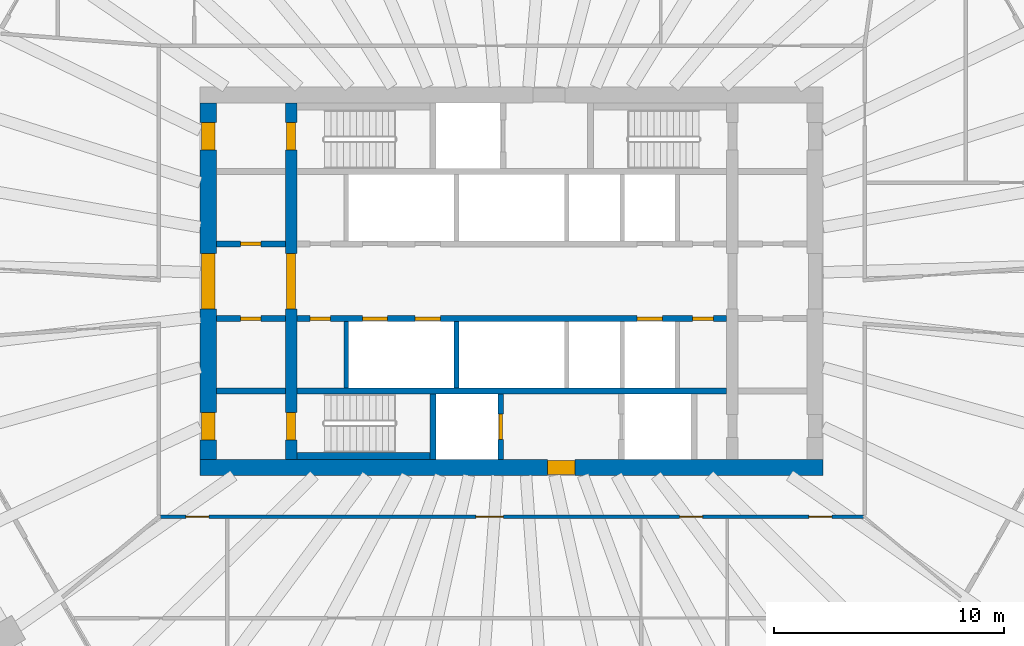
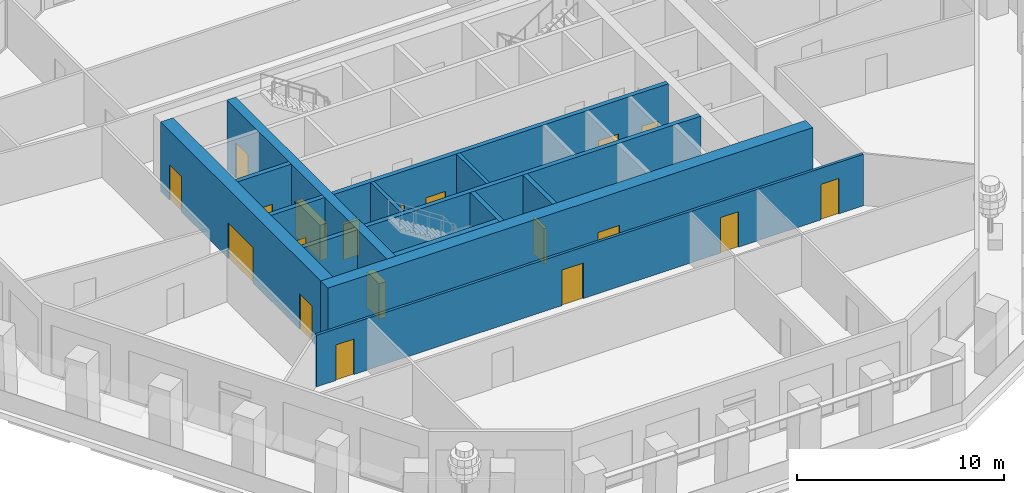
# One storey, part 4 of 12: 19 doors, 14 walls, 19 openings.
"""IFC4 building model written with IfcOpenShell, lengths in metres."""

from ifc_helpers import new_model, si_unit, direction, frame, frame_2d, origin, place, context, subcontext, project, spatial, rectangle, extrude, material, layer, layer_set, type_object, element, fill, save


model = new_model("IFC4")

# Units and contexts
model_context = context("Model", 3, precision=1e-05, world=origin(), true_north=direction((0.0, 1.0)))
body_context = subcontext(model_context, "Body", "Model", "MODEL_VIEW")
ifc_project = project(units=[si_unit("LENGTHUNIT", "METRE"), si_unit("AREAUNIT", "SQUARE_METRE"), si_unit("VOLUMEUNIT", "CUBIC_METRE"), si_unit("PLANEANGLEUNIT", "RADIAN"), si_unit("MASSUNIT", "GRAM", prefix="KILO")], contexts=[model_context])

# Site, building, storey
site_placement = place(None, origin())
site = spatial("IfcSite", under=ifc_project, at=site_placement, CompositionType="ELEMENT")
building_placement = place(site_placement, origin())
building = spatial("IfcBuilding", under=site, at=building_placement, Name="Frailejon Research Tower", CompositionType="ELEMENT")
storey_placement = place(building_placement, frame((0.0, 0.0, 171.60009765625)))
storey = spatial("IfcBuildingStorey", under=building, at=storey_placement, Name="L37", CompositionType="ELEMENT", Elevation=171.60009765625)

# Wall, openings, doors
ifc_material_1 = material(Name="Concrete C60/75", Category="concrete")
ifc_layer_1 = layer(ifc_material_1, 0.5)
ifc_layer_set_1 = layer_set([ifc_layer_1], Name="Core shear wall 500 C60/75")
wall_type_1 = type_object("IfcWallType", Name="Core shear wall 500 C60/75", PredefinedType="SHEAR", material=ifc_layer_set_1)
wall_1_placement = place(storey_placement, frame((-9.60009765625, -7.75, 0.0), z_axis=(0.0, 0.0, 1.0), x_axis=(0.0, 1.0, 0.0)))
wall_1 = element("IfcWall", 1, at=wall_1_placement, inside=storey, type_object=wall_type_1, Name="Core shear wall", PredefinedType="SHEAR", context=body_context, shape_type="SweptSolid", body=[
    extrude(rectangle(XDim=15.5, YDim=0.5, at=frame_2d((7.75, 0.0))), origin(), (0.0, 0.0, 1.0), 4.099853515625),
])
opening_1_placement = place(wall_1_placement, frame((6.550048828125, 0.0, 0.0)))
opening_1 = element("IfcOpeningElement", 2, at=opening_1_placement, cuts=wall_1, Name="Opening D2", PredefinedType="OPENING", context=body_context, shape_type="SweptSolid", body=[
    extrude(rectangle(XDim=2.39990234375, YDim=2.10009765625, at=frame_2d((1.199951171875, 1.050048828125))), frame((0.0, 0.260009765625, 0.0), z_axis=(0.0, -1.0, 0.0), x_axis=(1.0, 0.0, 0.0)), (0.0, 0.0, 1.0), 0.52001953125),
])
opening_2_placement = place(wall_1_placement, frame((13.449951171875, 0.0, 0.0)))
opening_2 = element("IfcOpeningElement", 3, at=opening_2_placement, cuts=wall_1, Name="Opening D1", PredefinedType="OPENING", context=body_context, shape_type="SweptSolid", body=[
    extrude(rectangle(XDim=1.199951171875, YDim=2.10009765625, at=frame_2d((0.60009765625, 1.050048828125))), frame((0.0, 0.260009765625, 0.0), z_axis=(0.0, -1.0, 0.0), x_axis=(1.0, 0.0, 0.0)), (0.0, 0.0, 1.0), 0.52001953125),
])
opening_3_placement = place(wall_1_placement, frame((0.85009765625, 0.0, 0.0)))
opening_3 = element("IfcOpeningElement", 4, at=opening_3_placement, cuts=wall_1, Name="Opening D1", PredefinedType="OPENING", context=body_context, shape_type="SweptSolid", body=[
    extrude(rectangle(XDim=1.199951171875, YDim=2.10009765625, at=frame_2d((0.60009765625, 1.050048828125))), frame((0.0, 0.260009765625, 0.0), z_axis=(0.0, -1.0, 0.0), x_axis=(1.0, 0.0, 0.0)), (0.0, 0.0, 1.0), 0.52001953125),
])
ifc_material_2 = material(Name="Steel", Category="steel")
door_type_1 = type_object("IfcDoorType", Name="Lobby double door", OperationType="DOUBLE_DOOR_SINGLE_SWING", PredefinedType="DOOR", material=ifc_material_2)
door_1_placement = place(opening_1_placement, origin())
door_1 = element("IfcDoor", 5, at=door_1_placement, inside=storey, type_object=door_type_1, Name="Lobby door", OperationType="DOUBLE_DOOR_SINGLE_SWING", OverallHeight=2.10009765625, OverallWidth=2.39990234375, PredefinedType="DOOR", context=body_context, shape_type="SweptSolid", body=[
    extrude(rectangle(XDim=2.39990234375, YDim=2.10009765625, at=frame_2d((1.199951171875, 1.050048828125))), frame((0.0, 0.199951171875, 0.0), z_axis=(0.0, -1.0, 0.0), x_axis=(1.0, 0.0, 0.0)), (0.0, 0.0, 1.0), 0.39990234375),
])
fill(opening_1, door_1)
ifc_material_3 = material(Name="Steel", Category="steel")
door_type_2 = type_object("IfcDoorType", Name="Stair door", OperationType="SINGLE_SWING_LEFT", PredefinedType="DOOR", material=ifc_material_3)
door_2_placement = place(opening_2_placement, origin())
door_2 = element("IfcDoor", 6, at=door_2_placement, inside=storey, type_object=door_type_2, Name="Stair door ST1", OperationType="SINGLE_SWING_LEFT", OverallHeight=2.10009765625, OverallWidth=1.199951171875, PredefinedType="DOOR", context=body_context, shape_type="SweptSolid", body=[
    extrude(rectangle(XDim=1.199951171875, YDim=2.10009765625, at=frame_2d((0.60009765625, 1.050048828125))), frame((0.0, 0.199951171875, 0.0), z_axis=(0.0, -1.0, 0.0), x_axis=(1.0, 0.0, 0.0)), (0.0, 0.0, 1.0), 0.39990234375),
])
fill(opening_2, door_2)
door_3_placement = place(opening_3_placement, origin())
door_3 = element("IfcDoor", 7, at=door_3_placement, inside=storey, type_object=door_type_2, Name="Stair door ST2", OperationType="SINGLE_SWING_LEFT", OverallHeight=2.10009765625, OverallWidth=1.199951171875, PredefinedType="DOOR", context=body_context, shape_type="SweptSolid", body=[
    extrude(rectangle(XDim=1.199951171875, YDim=2.10009765625, at=frame_2d((0.60009765625, 1.050048828125))), frame((0.0, 0.199951171875, 0.0), z_axis=(0.0, -1.0, 0.0), x_axis=(1.0, 0.0, 0.0)), (0.0, 0.0, 1.0), 0.39990234375),
])
fill(opening_3, door_3)

# Wall, opening, door
ifc_material_4 = material(Name="Concrete C60/75", Category="concrete")
ifc_layer_2 = layer(ifc_material_4, 0.699951171875)
ifc_layer_set_2 = layer_set([ifc_layer_2], Name="Core shear wall 700 C60/75")
wall_type_2 = type_object("IfcWallType", Name="Core shear wall 700 C60/75", PredefinedType="SHEAR", material=ifc_layer_set_2)
wall_2_placement = place(storey_placement, frame((-13.550048828125, -8.10009765625, 0.0), z_axis=(0.0, 0.0, 1.0), x_axis=(1.0, 0.0, 0.0)))
wall_2 = element("IfcWall", 8, at=wall_2_placement, inside=storey, type_object=wall_type_2, Name="Core shear wall", PredefinedType="SHEAR", context=body_context, shape_type="SweptSolid", body=[
    extrude(rectangle(XDim=27.10009765625, YDim=0.699951171875, at=frame_2d((13.550048828125, 0.0))), origin(), (0.0, 0.0, 1.0), 4.099853515625),
])
opening_4_placement = place(wall_2_placement, frame((15.10009765625, 0.0, 0.0)))
opening_4 = element("IfcOpeningElement", 9, at=opening_4_placement, cuts=wall_2, Name="Opening D3", PredefinedType="OPENING", context=body_context, shape_type="SweptSolid", body=[
    extrude(rectangle(XDim=1.199951171875, YDim=2.10009765625, at=frame_2d((0.60009765625, 1.050048828125))), frame((0.0, 0.35986328125, 0.0), z_axis=(0.0, -1.0, 0.0), x_axis=(1.0, 0.0, 0.0)), (0.0, 0.0, 1.0), 0.719970703125),
])
ifc_material_5 = material(Name="Steel", Category="steel")
door_type_3 = type_object("IfcDoorType", Name="Firefighting lobby door", OperationType="SINGLE_SWING_LEFT", PredefinedType="DOOR", material=ifc_material_5)
door_4_placement = place(opening_4_placement, origin())
door_4 = element("IfcDoor", 10, at=door_4_placement, inside=storey, type_object=door_type_3, Name="Firefighting lobby door", OperationType="SINGLE_SWING_LEFT", OverallHeight=2.10009765625, OverallWidth=1.199951171875, PredefinedType="DOOR", context=body_context, shape_type="SweptSolid", body=[
    extrude(rectangle(XDim=1.199951171875, YDim=2.10009765625, at=frame_2d((0.60009765625, 1.050048828125))), frame((0.0, 0.300048828125, 0.0), z_axis=(0.0, -1.0, 0.0), x_axis=(1.0, 0.0, 0.0)), (0.0, 0.0, 1.0), 0.60009765625),
])
fill(opening_4, door_4)

# Wall, openings, doors
wall_3_placement = place(storey_placement, frame((-13.199951171875, -7.75, 0.0), z_axis=(0.0, 0.0, 1.0), x_axis=(0.0, 1.0, 0.0)))
wall_3 = element("IfcWall", 11, at=wall_3_placement, inside=storey, type_object=wall_type_2, Name="Core shear wall", PredefinedType="SHEAR", context=body_context, shape_type="SweptSolid", body=[
    extrude(rectangle(XDim=15.5, YDim=0.699951171875, at=frame_2d((7.75, 0.0))), origin(), (0.0, 0.0, 1.0), 4.099853515625),
])
opening_5_placement = place(wall_3_placement, frame((6.550048828125, 0.0, 0.0)))
opening_5 = element("IfcOpeningElement", 12, at=opening_5_placement, cuts=wall_3, Name="Opening D2", PredefinedType="OPENING", context=body_context, shape_type="SweptSolid", body=[
    extrude(rectangle(XDim=2.39990234375, YDim=2.10009765625, at=frame_2d((1.199951171875, 1.050048828125))), frame((0.0, 0.35986328125, 0.0), z_axis=(0.0, -1.0, 0.0), x_axis=(1.0, 0.0, 0.0)), (0.0, 0.0, 1.0), 0.719970703125),
])
opening_6_placement = place(wall_3_placement, frame((13.449951171875, 0.0, 0.0)))
opening_6 = element("IfcOpeningElement", 13, at=opening_6_placement, cuts=wall_3, Name="Opening D7", PredefinedType="OPENING", context=body_context, shape_type="SweptSolid", body=[
    extrude(rectangle(XDim=1.199951171875, YDim=2.10009765625, at=frame_2d((0.60009765625, 1.050048828125))), frame((0.0, 0.35986328125, 0.0), z_axis=(0.0, -1.0, 0.0), x_axis=(1.0, 0.0, 0.0)), (0.0, 0.0, 1.0), 0.719970703125),
])
opening_7_placement = place(wall_3_placement, frame((0.85009765625, 0.0, 0.0)))
opening_7 = element("IfcOpeningElement", 14, at=opening_7_placement, cuts=wall_3, Name="Opening D7", PredefinedType="OPENING", context=body_context, shape_type="SweptSolid", body=[
    extrude(rectangle(XDim=1.199951171875, YDim=2.10009765625, at=frame_2d((0.60009765625, 1.050048828125))), frame((0.0, 0.35986328125, 0.0), z_axis=(0.0, -1.0, 0.0), x_axis=(1.0, 0.0, 0.0)), (0.0, 0.0, 1.0), 0.719970703125),
])
door_5_placement = place(opening_5_placement, origin())
door_5 = element("IfcDoor", 15, at=door_5_placement, inside=storey, type_object=door_type_1, Name="Lobby door", OperationType="DOUBLE_DOOR_SINGLE_SWING", OverallHeight=2.10009765625, OverallWidth=2.39990234375, PredefinedType="DOOR", context=body_context, shape_type="SweptSolid", body=[
    extrude(rectangle(XDim=2.39990234375, YDim=2.10009765625, at=frame_2d((1.199951171875, 1.050048828125))), frame((0.0, 0.300048828125, 0.0), z_axis=(0.0, -1.0, 0.0), x_axis=(1.0, 0.0, 0.0)), (0.0, 0.0, 1.0), 0.60009765625),
])
fill(opening_5, door_5)
ifc_material_6 = material(Name="Steel", Category="steel")
door_type_4 = type_object("IfcDoorType", Name="Stair exit door", OperationType="SINGLE_SWING_LEFT", PredefinedType="DOOR", material=ifc_material_6)
door_6_placement = place(opening_6_placement, origin())
door_6 = element("IfcDoor", 16, at=door_6_placement, inside=storey, type_object=door_type_4, Name="Stair exit door ST1", OperationType="SINGLE_SWING_RIGHT", OverallHeight=2.10009765625, OverallWidth=1.199951171875, PredefinedType="DOOR", context=body_context, shape_type="SweptSolid", body=[
    extrude(rectangle(XDim=1.199951171875, YDim=2.10009765625, at=frame_2d((0.60009765625, 1.050048828125))), frame((0.0, 0.300048828125, 0.0), z_axis=(0.0, -1.0, 0.0), x_axis=(1.0, 0.0, 0.0)), (0.0, 0.0, 1.0), 0.60009765625),
])
fill(opening_6, door_6)
door_7_placement = place(opening_7_placement, origin())
door_7 = element("IfcDoor", 17, at=door_7_placement, inside=storey, type_object=door_type_4, Name="Stair exit door ST2", OperationType="SINGLE_SWING_RIGHT", OverallHeight=2.10009765625, OverallWidth=1.199951171875, PredefinedType="DOOR", context=body_context, shape_type="SweptSolid", body=[
    extrude(rectangle(XDim=1.199951171875, YDim=2.10009765625, at=frame_2d((0.60009765625, 1.050048828125))), frame((0.0, 0.300048828125, 0.0), z_axis=(0.0, -1.0, 0.0), x_axis=(1.0, 0.0, 0.0)), (0.0, 0.0, 1.0), 0.60009765625),
])
fill(opening_7, door_7)

ifc_material_7 = material(Name="Gypsum board and masonry partition", Category="masonry")
ifc_layer_3 = layer(ifc_material_7, 0.14990234375)
ifc_layer_set_3 = layer_set([ifc_layer_3], Name="Corridor wall EI 60, gypsum on steel studs 150")
wall_type_3 = type_object("IfcWallType", Name="Corridor wall EI 60, gypsum on steel studs 150", PredefinedType="PARTITIONING", material=ifc_layer_set_3)
wall_4_placement = place(storey_placement, frame((-15.27490234375, -10.25, 0.0), z_axis=(0.0, 0.0, 1.0), x_axis=(1.0, 0.0, 0.0)))
wall_4 = element("IfcWall", 18, at=wall_4_placement, inside=storey, type_object=wall_type_3, Name="T:IW:L37:006", PredefinedType="PARTITIONING", context=body_context, shape_type="SweptSolid", body=[
    extrude(rectangle(XDim=30.574951171875, YDim=0.14990234375, at=frame_2d((15.28759765625, 0.0))), origin(), (0.0, 0.0, 1.0), 3.0498046875),
])
opening_8_placement = place(wall_4_placement, frame((1.102294921875, 0.0, 0.0)))
opening_8 = element("IfcOpeningElement", 19, at=opening_8_placement, cuts=wall_4, Name="Opening D1814", PredefinedType="OPENING", context=body_context, shape_type="SweptSolid", body=[
    extrude(rectangle(XDim=1.0, YDim=2.10009765625, at=frame_2d((0.5, 1.050048828125))), frame((0.0, 0.0849609375, 0.0), z_axis=(0.0, -1.0, 0.0), x_axis=(1.0, 0.0, 0.0)), (0.0, 0.0, 1.0), 0.169921875),
])
opening_9_placement = place(wall_4_placement, frame((13.715087890625, 0.0, 0.0)))
opening_9 = element("IfcOpeningElement", 20, at=opening_9_placement, cuts=wall_4, Name="Opening D1816", PredefinedType="OPENING", context=body_context, shape_type="SweptSolid", body=[
    extrude(rectangle(XDim=1.199951171875, YDim=2.10009765625, at=frame_2d((0.60009765625, 1.050048828125))), frame((0.0, 0.0849609375, 0.0), z_axis=(0.0, -1.0, 0.0), x_axis=(1.0, 0.0, 0.0)), (0.0, 0.0, 1.0), 0.169921875),
])
opening_10_placement = place(wall_4_placement, frame((22.584716796875, 0.0, 0.0)))
opening_10 = element("IfcOpeningElement", 21, at=opening_10_placement, cuts=wall_4, Name="Opening D1819", PredefinedType="OPENING", context=body_context, shape_type="SweptSolid", body=[
    extrude(rectangle(XDim=1.0, YDim=2.10009765625, at=frame_2d((0.5, 1.050048828125))), frame((0.0, 0.0849609375, 0.0), z_axis=(0.0, -1.0, 0.0), x_axis=(1.0, 0.0, 0.0)), (0.0, 0.0, 1.0), 0.169921875),
])
opening_11_placement = place(wall_4_placement, frame((28.206787109375, 0.0, 0.0)))
opening_11 = element("IfcOpeningElement", 22, at=opening_11_placement, cuts=wall_4, Name="Opening D1821", PredefinedType="OPENING", context=body_context, shape_type="SweptSolid", body=[
    extrude(rectangle(XDim=1.0, YDim=2.10009765625, at=frame_2d((0.5, 1.050048828125))), frame((0.0, 0.0849609375, 0.0), z_axis=(0.0, -1.0, 0.0), x_axis=(1.0, 0.0, 0.0)), (0.0, 0.0, 1.0), 0.169921875),
])
ifc_material_8 = material(Name="Timber door leaf", Category="wood")
door_type_5 = type_object("IfcDoorType", Name="Door laboratory, timber, vision panel 1000", OperationType="NOTDEFINED", PredefinedType="DOOR", material=ifc_material_8)
door_8_placement = place(opening_8_placement, origin())
door_8 = element("IfcDoor", 23, at=door_8_placement, inside=storey, type_object=door_type_5, Name="D1814", OperationType="SINGLE_SWING_LEFT", OverallHeight=2.10009765625, OverallWidth=1.0, PredefinedType="DOOR", context=body_context, shape_type="SweptSolid", body=[
    extrude(rectangle(XDim=1.0, YDim=2.10009765625, at=frame_2d((0.5, 1.050048828125))), frame((0.0, 0.02490234375, 0.0), z_axis=(0.0, -1.0, 0.0), x_axis=(1.0, 0.0, 0.0)), (0.0, 0.0, 1.0), 0.050048828125),
])
fill(opening_8, door_8)
ifc_material_9 = material(Name="Timber door leaf", Category="wood")
door_type_6 = type_object("IfcDoorType", Name="Door single leaf, timber, steel frame 1000", OperationType="NOTDEFINED", PredefinedType="DOOR", material=ifc_material_9)
door_9_placement = place(opening_10_placement, origin())
door_9 = element("IfcDoor", 24, at=door_9_placement, inside=storey, type_object=door_type_6, Name="D1819", OperationType="SINGLE_SWING_LEFT", OverallHeight=2.10009765625, OverallWidth=1.0, PredefinedType="DOOR", context=body_context, shape_type="SweptSolid", body=[
    extrude(rectangle(XDim=1.0, YDim=2.10009765625, at=frame_2d((0.5, 1.050048828125))), frame((0.0, 0.02490234375, 0.0), z_axis=(0.0, -1.0, 0.0), x_axis=(1.0, 0.0, 0.0)), (0.0, 0.0, 1.0), 0.050048828125),
])
fill(opening_10, door_9)
door_10_placement = place(opening_11_placement, origin())
door_10 = element("IfcDoor", 25, at=door_10_placement, inside=storey, type_object=door_type_6, Name="D1821", OperationType="SINGLE_SWING_RIGHT", OverallHeight=2.10009765625, OverallWidth=1.0, PredefinedType="DOOR", context=body_context, shape_type="SweptSolid", body=[
    extrude(rectangle(XDim=1.0, YDim=2.10009765625, at=frame_2d((0.5, 1.050048828125))), frame((0.0, 0.02490234375, 0.0), z_axis=(0.0, -1.0, 0.0), x_axis=(1.0, 0.0, 0.0)), (0.0, 0.0, 1.0), 0.050048828125),
])
fill(opening_11, door_10)
ifc_material_10 = material(Name="Timber door leaf", Category="wood")
door_type_7 = type_object("IfcDoorType", Name="Door single leaf, timber, steel frame 1200", OperationType="NOTDEFINED", PredefinedType="DOOR", material=ifc_material_10)
door_11_placement = place(opening_9_placement, origin())
door_11 = element("IfcDoor", 26, at=door_11_placement, inside=storey, type_object=door_type_7, Name="D1816", OperationType="DOUBLE_DOOR_SINGLE_SWING", OverallHeight=2.10009765625, OverallWidth=1.199951171875, PredefinedType="DOOR", context=body_context, shape_type="SweptSolid", body=[
    extrude(rectangle(XDim=1.199951171875, YDim=2.10009765625, at=frame_2d((0.60009765625, 1.050048828125))), frame((0.0, 0.02490234375, 0.0), z_axis=(0.0, -1.0, 0.0), x_axis=(1.0, 0.0, 0.0)), (0.0, 0.0, 1.0), 0.050048828125),
])
fill(opening_9, door_11)

# Walls
ifc_material_11 = material(Name="Concrete C60/75", Category="concrete")
ifc_layer_4 = layer(ifc_material_11, 0.199951171875)
ifc_layer_set_4 = layer_set([ifc_layer_4], Name="Shaft wall 200 C60/75")
wall_type_4 = type_object("IfcWallType", Name="Shaft wall 200 C60/75", PredefinedType="SOLIDWALL", material=ifc_layer_set_4)
for number, where, z_axis, x_axis, name in (
    (27, (-7.199951171875, -4.64990234375, 0.0), (0.0, 0.0, 1.0), (0.0, 1.0, 0.0), "Shaft wall"),
    (28, (-2.39990234375, -4.64990234375, 0.0), (0.0, 0.0, 1.0), (0.0, 1.0, 0.0), "Shaft wall"),
):
    element("IfcWall", number, at=place(storey_placement, frame(where, z_axis=z_axis, x_axis=x_axis)), inside=storey, type_object=wall_type_4, Name=name, PredefinedType="SOLIDWALL", context=body_context, shape_type="SweptSolid", body=[
        extrude(rectangle(XDim=2.89990234375, YDim=0.199951171875, at=frame_2d((1.449951171875, 0.0))), origin(), (0.0, 0.0, 1.0), 4.099853515625),
    ])

# Wall, opening, door
ifc_material_12 = material(Name="Concrete C60/75", Category="concrete")
ifc_layer_5 = layer(ifc_material_12, 0.25)
ifc_layer_set_5 = layer_set([ifc_layer_5], Name="Shaft wall 250 C60/75")
wall_type_5 = type_object("IfcWallType", Name="Shaft wall 250 C60/75", PredefinedType="SOLIDWALL", material=ifc_layer_set_5)
wall_5_placement = place(storey_placement, frame((-12.85009765625, 1.625, 0.0), z_axis=(0.0, 0.0, 1.0), x_axis=(1.0, 0.0, 0.0)))
wall_5 = element("IfcWall", 29, at=wall_5_placement, inside=storey, type_object=wall_type_5, Name="Shaft wall", PredefinedType="SOLIDWALL", context=body_context, shape_type="SweptSolid", body=[
    extrude(rectangle(XDim=3.0, YDim=0.25, at=frame_2d((1.5, 0.0))), origin(), (0.0, 0.0, 1.0), 4.099853515625),
])
opening_12_placement = place(wall_5_placement, frame((1.050048828125, 0.0, 0.0)))
opening_12 = element("IfcOpeningElement", 30, at=opening_12_placement, cuts=wall_5, Name="Opening D8", PredefinedType="OPENING", context=body_context, shape_type="SweptSolid", body=[
    extrude(rectangle(XDim=0.89990234375, YDim=2.10009765625, at=frame_2d((0.449951171875, 1.050048828125))), frame((0.0, 0.135009765625, 0.0), z_axis=(0.0, -1.0, 0.0), x_axis=(1.0, 0.0, 0.0)), (0.0, 0.0, 1.0), 0.27001953125),
])
ifc_material_13 = material(Name="Steel", Category="steel")
door_type_8 = type_object("IfcDoorType", Name="Core room door", OperationType="SINGLE_SWING_LEFT", PredefinedType="DOOR", material=ifc_material_13)
door_12_placement = place(opening_12_placement, origin())
door_12 = element("IfcDoor", 31, at=door_12_placement, inside=storey, type_object=door_type_8, Name="Room door", OperationType="SINGLE_SWING_LEFT", OverallHeight=2.10009765625, OverallWidth=0.89990234375, PredefinedType="DOOR", context=body_context, shape_type="SweptSolid", body=[
    extrude(rectangle(XDim=0.89990234375, YDim=2.10009765625, at=frame_2d((0.449951171875, 1.050048828125))), frame((0.0, 0.074951171875, 0.0), z_axis=(0.0, -1.0, 0.0), x_axis=(1.0, 0.0, 0.0)), (0.0, 0.0, 1.0), 0.14990234375),
])
fill(opening_12, door_12)

wall_6_placement = place(storey_placement, frame((-12.85009765625, -1.625, 0.0), z_axis=(0.0, 0.0, 1.0), x_axis=(1.0, 0.0, 0.0)))
wall_6 = element("IfcWall", 32, at=wall_6_placement, inside=storey, type_object=wall_type_5, Name="Shaft wall", PredefinedType="SOLIDWALL", context=body_context, shape_type="SweptSolid", body=[
    extrude(rectangle(XDim=3.0, YDim=0.25, at=frame_2d((1.5, 0.0))), origin(), (0.0, 0.0, 1.0), 4.099853515625),
])
opening_13_placement = place(wall_6_placement, frame((1.050048828125, 0.0, 0.0)))
opening_13 = element("IfcOpeningElement", 33, at=opening_13_placement, cuts=wall_6, Name="Opening D8", PredefinedType="OPENING", context=body_context, shape_type="SweptSolid", body=[
    extrude(rectangle(XDim=0.89990234375, YDim=2.10009765625, at=frame_2d((0.449951171875, 1.050048828125))), frame((0.0, 0.135009765625, 0.0), z_axis=(0.0, -1.0, 0.0), x_axis=(1.0, 0.0, 0.0)), (0.0, 0.0, 1.0), 0.27001953125),
])
door_13_placement = place(opening_13_placement, origin())
door_13 = element("IfcDoor", 34, at=door_13_placement, inside=storey, type_object=door_type_8, Name="Room door", OperationType="SINGLE_SWING_LEFT", OverallHeight=2.10009765625, OverallWidth=0.89990234375, PredefinedType="DOOR", context=body_context, shape_type="SweptSolid", body=[
    extrude(rectangle(XDim=0.89990234375, YDim=2.10009765625, at=frame_2d((0.449951171875, 1.050048828125))), frame((0.0, 0.074951171875, 0.0), z_axis=(0.0, -1.0, 0.0), x_axis=(1.0, 0.0, 0.0)), (0.0, 0.0, 1.0), 0.14990234375),
])
fill(opening_13, door_13)

# Wall, openings, doors
wall_7_placement = place(storey_placement, frame((-9.35009765625, -1.625, 0.0), z_axis=(0.0, 0.0, 1.0), x_axis=(1.0, 0.0, 0.0)))
wall_7 = element("IfcWall", 35, at=wall_7_placement, inside=storey, type_object=wall_type_5, Name="Shaft wall", PredefinedType="SOLIDWALL", context=body_context, shape_type="SweptSolid", body=[
    extrude(rectangle(XDim=18.7001953125, YDim=0.25, at=frame_2d((9.35009765625, 0.0))), origin(), (0.0, 0.0, 1.0), 4.099853515625),
])
opening_14_placement = place(wall_7_placement, frame((2.85009765625, 0.0, 0.0)))
opening_14 = element("IfcOpeningElement", 36, at=opening_14_placement, cuts=wall_7, Name="Opening LD", PredefinedType="OPENING", context=body_context, shape_type="SweptSolid", body=[
    extrude(rectangle(XDim=1.10009765625, YDim=2.10009765625, at=frame_2d((0.550048828125, 1.050048828125))), frame((0.0, 0.135009765625, 0.0), z_axis=(0.0, -1.0, 0.0), x_axis=(1.0, 0.0, 0.0)), (0.0, 0.0, 1.0), 0.27001953125),
])
opening_15_placement = place(wall_7_placement, frame((5.14990234375, 0.0, 0.0)))
opening_15 = element("IfcOpeningElement", 37, at=opening_15_placement, cuts=wall_7, Name="Opening LD", PredefinedType="OPENING", context=body_context, shape_type="SweptSolid", body=[
    extrude(rectangle(XDim=1.10009765625, YDim=2.10009765625, at=frame_2d((0.550048828125, 1.050048828125))), frame((0.0, 0.135009765625, 0.0), z_axis=(0.0, -1.0, 0.0), x_axis=(1.0, 0.0, 0.0)), (0.0, 0.0, 1.0), 0.27001953125),
])
opening_16_placement = place(wall_7_placement, frame((14.800048828125, 0.0, 0.0)))
opening_16 = element("IfcOpeningElement", 38, at=opening_16_placement, cuts=wall_7, Name="Opening LD", PredefinedType="OPENING", context=body_context, shape_type="SweptSolid", body=[
    extrude(rectangle(XDim=1.10009765625, YDim=2.10009765625, at=frame_2d((0.550048828125, 1.050048828125))), frame((0.0, 0.135009765625, 0.0), z_axis=(0.0, -1.0, 0.0), x_axis=(1.0, 0.0, 0.0)), (0.0, 0.0, 1.0), 0.27001953125),
])
opening_17_placement = place(wall_7_placement, frame((0.574951171875, 0.0, 0.0)))
opening_17 = element("IfcOpeningElement", 39, at=opening_17_placement, cuts=wall_7, Name="Opening D8", PredefinedType="OPENING", context=body_context, shape_type="SweptSolid", body=[
    extrude(rectangle(XDim=0.89990234375, YDim=2.10009765625, at=frame_2d((0.449951171875, 1.050048828125))), frame((0.0, 0.135009765625, 0.0), z_axis=(0.0, -1.0, 0.0), x_axis=(1.0, 0.0, 0.0)), (0.0, 0.0, 1.0), 0.27001953125),
])
opening_18_placement = place(wall_7_placement, frame((17.22509765625, 0.0, 0.0)))
opening_18 = element("IfcOpeningElement", 40, at=opening_18_placement, cuts=wall_7, Name="Opening D8", PredefinedType="OPENING", context=body_context, shape_type="SweptSolid", body=[
    extrude(rectangle(XDim=0.89990234375, YDim=2.10009765625, at=frame_2d((0.449951171875, 1.050048828125))), frame((0.0, 0.135009765625, 0.0), z_axis=(0.0, -1.0, 0.0), x_axis=(1.0, 0.0, 0.0)), (0.0, 0.0, 1.0), 0.27001953125),
])
door_14_placement = place(opening_17_placement, origin())
door_14 = element("IfcDoor", 41, at=door_14_placement, inside=storey, type_object=door_type_8, Name="Room door", OperationType="SINGLE_SWING_RIGHT", OverallHeight=2.10009765625, OverallWidth=0.89990234375, PredefinedType="DOOR", context=body_context, shape_type="SweptSolid", body=[
    extrude(rectangle(XDim=0.89990234375, YDim=2.10009765625, at=frame_2d((0.449951171875, 1.050048828125))), frame((0.0, 0.074951171875, 0.0), z_axis=(0.0, -1.0, 0.0), x_axis=(1.0, 0.0, 0.0)), (0.0, 0.0, 1.0), 0.14990234375),
])
fill(opening_17, door_14)
door_15_placement = place(opening_18_placement, origin())
door_15 = element("IfcDoor", 42, at=door_15_placement, inside=storey, type_object=door_type_8, Name="Room door", OperationType="SINGLE_SWING_LEFT", OverallHeight=2.10009765625, OverallWidth=0.89990234375, PredefinedType="DOOR", context=body_context, shape_type="SweptSolid", body=[
    extrude(rectangle(XDim=0.89990234375, YDim=2.10009765625, at=frame_2d((0.449951171875, 1.050048828125))), frame((0.0, 0.074951171875, 0.0), z_axis=(0.0, -1.0, 0.0), x_axis=(1.0, 0.0, 0.0)), (0.0, 0.0, 1.0), 0.14990234375),
])
fill(opening_18, door_15)
ifc_material_14 = material(Name="Steel", Category="steel")
door_type_9 = type_object("IfcDoorType", Name="Lift landing door", OperationType="DOUBLE_DOOR_SLIDING", PredefinedType="DOOR", material=ifc_material_14)
door_16_placement = place(opening_14_placement, origin())
door_16 = element("IfcDoor", 43, at=door_16_placement, inside=storey, type_object=door_type_9, Name="Lift landing door", OperationType="DOUBLE_DOOR_SLIDING", OverallHeight=2.10009765625, OverallWidth=1.10009765625, PredefinedType="DOOR", context=body_context, shape_type="SweptSolid", body=[
    extrude(rectangle(XDim=1.10009765625, YDim=2.10009765625, at=frame_2d((0.550048828125, 1.050048828125))), frame((0.0, 0.074951171875, 0.0), z_axis=(0.0, -1.0, 0.0), x_axis=(1.0, 0.0, 0.0)), (0.0, 0.0, 1.0), 0.14990234375),
])
fill(opening_14, door_16)
door_17_placement = place(opening_15_placement, origin())
door_17 = element("IfcDoor", 44, at=door_17_placement, inside=storey, type_object=door_type_9, Name="Lift landing door", OperationType="DOUBLE_DOOR_SLIDING", OverallHeight=2.10009765625, OverallWidth=1.10009765625, PredefinedType="DOOR", context=body_context, shape_type="SweptSolid", body=[
    extrude(rectangle(XDim=1.10009765625, YDim=2.10009765625, at=frame_2d((0.550048828125, 1.050048828125))), frame((0.0, 0.074951171875, 0.0), z_axis=(0.0, -1.0, 0.0), x_axis=(1.0, 0.0, 0.0)), (0.0, 0.0, 1.0), 0.14990234375),
])
fill(opening_15, door_17)
door_18_placement = place(opening_16_placement, origin())
door_18 = element("IfcDoor", 45, at=door_18_placement, inside=storey, type_object=door_type_9, Name="Lift landing door", OperationType="DOUBLE_DOOR_SLIDING", OverallHeight=2.10009765625, OverallWidth=1.10009765625, PredefinedType="DOOR", context=body_context, shape_type="SweptSolid", body=[
    extrude(rectangle(XDim=1.10009765625, YDim=2.10009765625, at=frame_2d((0.550048828125, 1.050048828125))), frame((0.0, 0.074951171875, 0.0), z_axis=(0.0, -1.0, 0.0), x_axis=(1.0, 0.0, 0.0)), (0.0, 0.0, 1.0), 0.14990234375),
])
fill(opening_16, door_18)

# Walls
wall_8_placement = place(storey_placement, frame((-12.85009765625, -4.77490234375, 0.0), z_axis=(0.0, 0.0, 1.0), x_axis=(1.0, 0.0, 0.0)))
element("IfcWall", 46, at=wall_8_placement, inside=storey, type_object=wall_type_5, Name="Shaft wall", PredefinedType="SOLIDWALL", context=body_context, shape_type="SweptSolid", body=[
    extrude(rectangle(XDim=3.0, YDim=0.25, at=frame_2d((1.5, 0.0))), origin(), (0.0, 0.0, 1.0), 4.099853515625),
])
wall_9_placement = place(storey_placement, frame((-9.35009765625, -4.77490234375, 0.0), z_axis=(0.0, 0.0, 1.0), x_axis=(1.0, 0.0, 0.0)))
element("IfcWall", 47, at=wall_9_placement, inside=storey, type_object=wall_type_5, Name="Shaft wall", PredefinedType="SOLIDWALL", context=body_context, shape_type="SweptSolid", body=[
    extrude(rectangle(XDim=18.7001953125, YDim=0.25, at=frame_2d((9.35009765625, 0.0))), origin(), (0.0, 0.0, 1.0), 4.099853515625),
])
wall_10_placement = place(storey_placement, frame((-3.425048828125, -7.75, 0.0), z_axis=(0.0, 0.0, 1.0), x_axis=(0.0, 1.0, 0.0)))
element("IfcWall", 48, at=wall_10_placement, inside=storey, type_object=wall_type_5, Name="Shaft wall", PredefinedType="SOLIDWALL", context=body_context, shape_type="SweptSolid", body=[
    extrude(rectangle(XDim=2.85009765625, YDim=0.25, at=frame_2d((1.425048828125, 0.0))), origin(), (0.0, 0.0, 1.0), 4.099853515625),
])

# Wall, opening, door
wall_11_placement = place(storey_placement, frame((-0.47509765625, -7.75, 0.0), z_axis=(0.0, 0.0, 1.0), x_axis=(0.0, 1.0, 0.0)))
wall_11 = element("IfcWall", 49, at=wall_11_placement, inside=storey, type_object=wall_type_5, Name="Shaft wall", PredefinedType="SOLIDWALL", context=body_context, shape_type="SweptSolid", body=[
    extrude(rectangle(XDim=2.85009765625, YDim=0.25, at=frame_2d((1.425048828125, 0.0))), origin(), (0.0, 0.0, 1.0), 4.099853515625),
])
opening_19_placement = place(wall_11_placement, frame((0.875, 0.0, 0.0)))
opening_19 = element("IfcOpeningElement", 50, at=opening_19_placement, cuts=wall_11, Name="Opening LD", PredefinedType="OPENING", context=body_context, shape_type="SweptSolid", body=[
    extrude(rectangle(XDim=1.10009765625, YDim=2.10009765625, at=frame_2d((0.550048828125, 1.050048828125))), frame((0.0, 0.135009765625, 0.0), z_axis=(0.0, -1.0, 0.0), x_axis=(1.0, 0.0, 0.0)), (0.0, 0.0, 1.0), 0.27001953125),
])
door_19_placement = place(opening_19_placement, origin())
door_19 = element("IfcDoor", 51, at=door_19_placement, inside=storey, type_object=door_type_9, Name="Lift landing door", OperationType="DOUBLE_DOOR_SLIDING", OverallHeight=2.10009765625, OverallWidth=1.10009765625, PredefinedType="DOOR", context=body_context, shape_type="SweptSolid", body=[
    extrude(rectangle(XDim=1.10009765625, YDim=2.10009765625, at=frame_2d((0.550048828125, 1.050048828125))), frame((0.0, 0.074951171875, 0.0), z_axis=(0.0, -1.0, 0.0), x_axis=(1.0, 0.0, 0.0)), (0.0, 0.0, 1.0), 0.14990234375),
])
fill(opening_19, door_19)

# Wall
ifc_material_15 = material(Name="Concrete C60/75", Category="concrete")
ifc_layer_6 = layer(ifc_material_15, 0.300048828125)
ifc_layer_set_6 = layer_set([ifc_layer_6], Name="Shaft wall 300 C60/75")
wall_type_6 = type_object("IfcWallType", Name="Shaft wall 300 C60/75", PredefinedType="SOLIDWALL", material=ifc_layer_set_6)
wall_12_placement = place(storey_placement, frame((-9.35009765625, -7.60009765625, 0.0), z_axis=(0.0, 0.0, 1.0), x_axis=(1.0, 0.0, 0.0)))
element("IfcWall", 52, at=wall_12_placement, inside=storey, type_object=wall_type_6, Name="Shaft wall", PredefinedType="SOLIDWALL", context=body_context, shape_type="SweptSolid", body=[
    extrude(rectangle(XDim=5.800048828125, YDim=0.300048828125, at=frame_2d((2.89990234375, 0.0))), origin(), (0.0, 0.0, 1.0), 4.099853515625),
])

save(model, "model.ifc")
